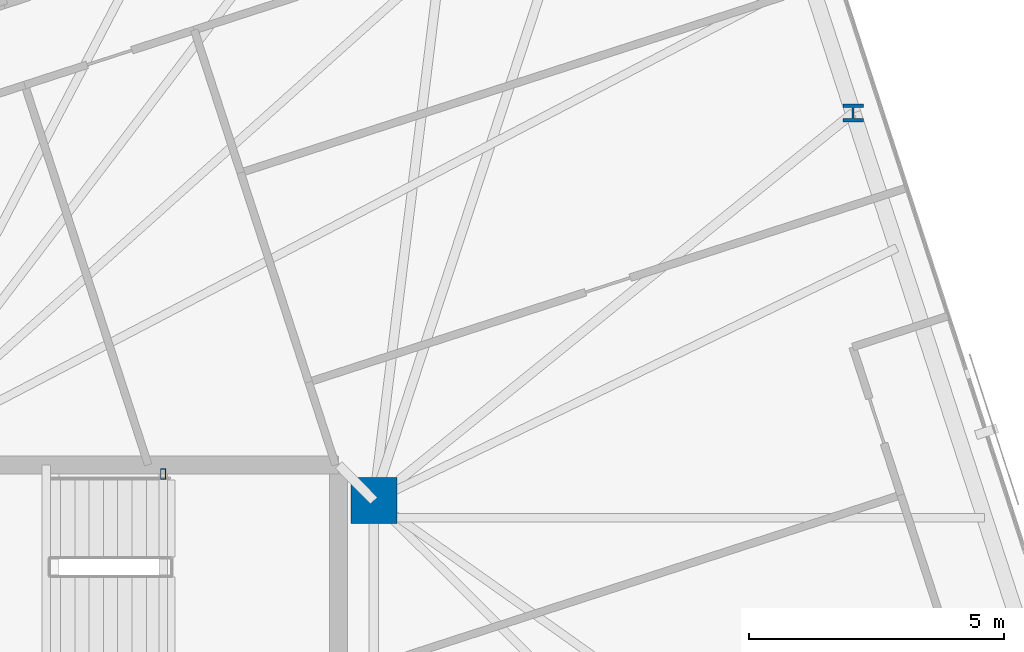
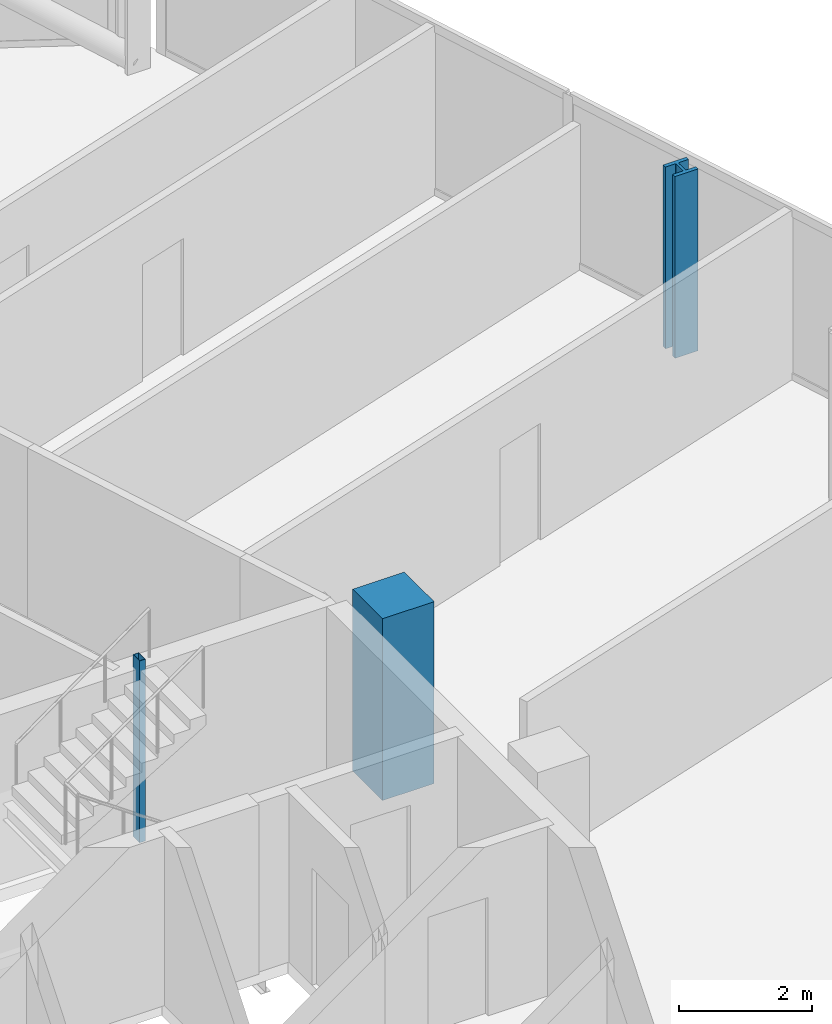
# One storey, part 3 of 19: 3 columns.
"""IFC4 building model written with IfcOpenShell, lengths in metres."""

import ifcopenshell
import ifcopenshell.guid

model = None  # the IFC model being written
_history = None  # IfcOwnerHistory: only IFC2X3 demands one
_inside = {}  # id of a spatial element -> (the spatial element, [elements in it])
_under = {}  # id of a project, library or spatial element -> (it, [spatial elements below it])
_declared = {}  # id of a project -> (the project, [libraries it declares])
_typed = {}  # id of a type object -> (the type object, [elements of that type])
_made_of = {}  # id of a material, layer set ... -> (it, [elements and type objects made of it])


def new_model(schema):
    """Start an empty IFC model of exactly this schema.

    Asked for "IFC4X3", IfcOpenShell would pick the latest addendum, in which some entities
    have other attributes; the version numbers below select the first issue.
    IFC2X3 requires an IfcOwnerHistory on every rooted entity: one is made here for all.
    """
    global model, _history
    if schema == "IFC4X3":
        model = ifcopenshell.file(schema_version=(4, 3, 0, 0))
    else:
        model = ifcopenshell.file(schema=schema)
    _inside.clear()
    _under.clear()
    _declared.clear()
    _typed.clear()
    _made_of.clear()
    _history = None
    if model.schema == "IFC2X3":
        org = make("IfcOrganization", Name="unknown")
        user = make(
            "IfcPersonAndOrganization",
            ThePerson=make("IfcPerson", FamilyName="unknown"),
            TheOrganization=org,
        )
        app = make(
            "IfcApplication",
            ApplicationDeveloper=org,
            Version="unknown",
            ApplicationFullName="unknown",
            ApplicationIdentifier="unknown",
        )
        _history = make(
            "IfcOwnerHistory",
            OwningUser=user,
            OwningApplication=app,
            ChangeAction="ADDED",
            CreationDate=0,
        )
    return model


def make(cls, **values):
    """One entity of the class cls with the attributes given. An attribute that is None is left unset."""
    return model.create_entity(
        cls, **{name: value for name, value in values.items() if value is not None}
    )


def rooted(cls, **values):
    """An entity with a GlobalId (a new one), such as an element, a storey or a relation."""
    return make(cls, GlobalId=ifcopenshell.guid.new(), OwnerHistory=_history, **values)


def si_unit(unit_type, name, prefix=None):
    """IfcSIUnit, for example si_unit("LENGTHUNIT", "METRE", prefix="MILLI")."""
    return make("IfcSIUnit", UnitType=unit_type, Prefix=prefix, Name=name)


def assignment(units):
    """IfcUnitAssignment: the units of a project."""
    return None if units is None else make("IfcUnitAssignment", Units=units)


def point(xyz):
    """IfcCartesianPoint."""
    return None if xyz is None else make("IfcCartesianPoint", Coordinates=xyz)


def direction(xyz):
    """IfcDirection."""
    return None if xyz is None else make("IfcDirection", DirectionRatios=xyz)


def frame(location, z_axis=None, x_axis=None):
    """IfcAxis2Placement3D, a coordinate frame: its origin and axes. An axis left out is left unset."""
    return make(
        "IfcAxis2Placement3D",
        Location=point(location),
        Axis=direction(z_axis),
        RefDirection=direction(x_axis),
    )


def frame_2d(location, x_axis=None):
    """IfcAxis2Placement2D, a coordinate frame in the plane: its origin and x axis."""
    return make(
        "IfcAxis2Placement2D", Location=point(location), RefDirection=direction(x_axis)
    )


def origin():
    """The frame at (0, 0, 0) with its axes left unset."""
    return frame((0.0, 0.0, 0.0))


def origin_2d():
    """The frame at (0, 0) in the plane with its x axis left unset."""
    return frame_2d((0.0, 0.0))


def place(relative_to, where):
    """IfcLocalPlacement: puts the frame where relative to a parent placement (None: the world)."""
    return make(
        "IfcLocalPlacement", PlacementRelTo=relative_to, RelativePlacement=where
    )


def context(
    kind, dimensions, precision=None, world=None, true_north=None, identifier=None
):
    """IfcGeometricRepresentationContext, for example the 3D "Model" context."""
    return make(
        "IfcGeometricRepresentationContext",
        ContextIdentifier=identifier,
        ContextType=kind,
        CoordinateSpaceDimension=dimensions,
        Precision=precision,
        WorldCoordinateSystem=world,
        TrueNorth=true_north,
    )


def subcontext(parent, identifier, kind, view, scale=None):
    """IfcGeometricRepresentationSubContext, for example "Body" below "Model"."""
    return make(
        "IfcGeometricRepresentationSubContext",
        ContextIdentifier=identifier,
        ContextType=kind,
        ParentContext=parent,
        TargetScale=scale,
        TargetView=view,
    )


def project(units=None, contexts=None):
    """IfcProject with its units and contexts."""
    return rooted(
        "IfcProject",
        Name="project",
        RepresentationContexts=contexts,
        UnitsInContext=assignment(units),
    )


def spatial(cls, under=None, at=None, **own):
    """A site, building, storey or space (cls), placed at a placement, below another one or the project."""
    s = rooted(cls, ObjectPlacement=at, **own)
    if under is not None:
        _under.setdefault(under.id(), (under, []))[1].append(s)
    return s


def profile(cls, at=None, kind="AREA", **sizes):
    """A parametric profile (cls). Its sizes go by their IFC names, for example OverallWidth=200.0."""
    return make(cls, ProfileType=kind, Position=at, **sizes)


def rectangle(**sizes):
    """IfcRectangleProfileDef."""
    return profile("IfcRectangleProfileDef", **sizes)


def hollow_rectangle(**sizes):
    """IfcRectangleHollowProfileDef."""
    return profile("IfcRectangleHollowProfileDef", **sizes)


def i_section(**sizes):
    """IfcIShapeProfileDef."""
    return profile("IfcIShapeProfileDef", **sizes)


def extrude(swept, where, along, depth):
    """IfcExtrudedAreaSolid: the profile swept, set in the frame where, extruded along a direction by depth."""
    return make(
        "IfcExtrudedAreaSolid",
        SweptArea=swept,
        Position=where,
        ExtrudedDirection=direction(along),
        Depth=depth,
    )


def shape(context_of_items, identifier, shape_type, items):
    """IfcShapeRepresentation: the items that make up one representation, for example the "Body"."""
    return make(
        "IfcShapeRepresentation",
        ContextOfItems=context_of_items,
        RepresentationIdentifier=identifier,
        RepresentationType=shape_type,
        Items=items,
    )


def material(Name=None, Category=None):
    """IfcMaterial."""
    return make("IfcMaterial", Name=Name, Category=Category)


def material_profile(
    of_material, cross_section, Name=None, Category=None, Priority=None
):
    """IfcMaterialProfile: a cross section and its material."""
    return make(
        "IfcMaterialProfile",
        Name=Name,
        Material=of_material,
        Profile=cross_section,
        Priority=Priority,
        Category=Category,
    )


def profile_set(profiles, Name=None, composite=None):
    """IfcMaterialProfileSet."""
    return make(
        "IfcMaterialProfileSet",
        Name=Name,
        MaterialProfiles=profiles,
        CompositeProfile=composite,
    )


def made_of(thing, what):
    """Note that an element or type object is made of a material, layer set ...; save() writes the relation."""
    if what is not None:
        _made_of.setdefault(what.id(), (what, []))[1].append(thing)
    return thing


def type_object(cls, material=None, **own):
    """A type object (cls), such as IfcWallType, which elements share."""
    return made_of(rooted(cls, **own), material)


def element(
    cls,
    number,
    at=None,
    inside=None,
    cuts=None,
    type_object=None,
    material=None,
    context=None,
    identifier="Body",
    shape_type=None,
    held_by="IfcProductDefinitionShape",
    body=None,
    shapes=None,
    **own,
):
    """One element of the class cls, such as IfcWall. Its Tag is "e" and its number.

    at: its placement. inside: the storey or other place that contains it. cuts: it is an
    opening in that element (IfcRelVoidsElement). A single representation is given by context,
    identifier, shape_type and body (its items); several are given by shapes. held_by: the class
    of the entity that holds the representations. save() writes the other relations.
    """
    e = rooted(cls, Tag="e%d" % number, ObjectPlacement=at, **own)
    if body is not None:
        shapes = [shape(context, identifier, shape_type, body)]
    if shapes is not None:
        e.Representation = make(held_by, Representations=shapes)
    if inside is not None:
        _inside.setdefault(inside.id(), (inside, []))[1].append(e)
    if cuts is not None:
        rooted(
            "IfcRelVoidsElement", RelatingBuildingElement=cuts, RelatedOpeningElement=e
        )
    if type_object is not None:
        _typed.setdefault(type_object.id(), (type_object, []))[1].append(e)
    return made_of(e, material)


def aggregate(whole, parts):
    """IfcRelAggregates: a whole, such as a stair, and the parts it consists of."""
    return rooted("IfcRelAggregates", RelatingObject=whole, RelatedObjects=parts)


def save(model, path):
    """Write the relations noted so far, then the file.

    IfcRelAggregates (storeys below a building ...), IfcRelContainedInSpatialStructure (elements
    in a storey), IfcRelDefinesByType, IfcRelAssociatesMaterial and IfcRelDeclares: one each for
    every whole, place, type object, material and project.
    """
    for whole, parts in _under.values():
        aggregate(whole, parts)
    for where, things in _inside.values():
        rooted(
            "IfcRelContainedInSpatialStructure",
            RelatedElements=things,
            RelatingStructure=where,
        )
    for kind, things in _typed.values():
        rooted("IfcRelDefinesByType", RelatedObjects=things, RelatingType=kind)
    for what, things in _made_of.values():
        rooted("IfcRelAssociatesMaterial", RelatedObjects=things, RelatingMaterial=what)
    for by, libraries in _declared.values():
        rooted("IfcRelDeclares", RelatingContext=by, RelatedDefinitions=libraries)
    model.write(path)


model = new_model("IFC4")

# Units and contexts
model_context = context("Model", 3, precision=1e-05, world=origin(), true_north=direction((0.0, 1.0)))
body_context = subcontext(model_context, "Body", "Model", "MODEL_VIEW")
ifc_project = project(units=[si_unit("LENGTHUNIT", "METRE"), si_unit("AREAUNIT", "SQUARE_METRE"), si_unit("VOLUMEUNIT", "CUBIC_METRE"), si_unit("PLANEANGLEUNIT", "RADIAN"), si_unit("MASSUNIT", "GRAM", prefix="KILO")], contexts=[model_context])

# Site, building, storey
site_placement = place(None, origin())
site = spatial("IfcSite", under=ifc_project, at=site_placement, CompositionType="ELEMENT")
building_placement = place(site_placement, origin())
building = spatial("IfcBuilding", under=site, at=building_placement, Name="Menara Jurai Vektor", CompositionType="ELEMENT")
storey_placement = place(building_placement, frame((0.0, 0.0, 214.25)))
storey = spatial("IfcBuildingStorey", under=building, at=storey_placement, Name="L56", CompositionType="ELEMENT", Elevation=214.25)

# Columns
ifc_material_1 = material(Name="Concrete C50/60", Category="concrete")
ifc_material_profile_1 = material_profile(ifc_material_1, rectangle(XDim=0.89990234375, YDim=0.89990234375, at=origin_2d()), Name="RC 900x900")
ifc_profile_set_1 = profile_set([ifc_material_profile_1], Name="Concrete C50/60")
column_type_1 = type_object("IfcColumnType", Name="STR-COL-RC900", PredefinedType="COLUMN", material=ifc_profile_set_1)
column_1_placement = place(storey_placement, frame((15.25, 4.89990234375, 0.0), z_axis=(0.0, 0.0, 1.0), x_axis=(1.0, 0.0, 0.0)))
element("IfcColumn", 1, at=column_1_placement, inside=storey, type_object=column_type_1, Name="Core Spine Column CE-NE L56", PredefinedType="COLUMN", context=body_context, shape_type="SweptSolid", body=[
    extrude(rectangle(XDim=0.89990234375, YDim=0.89990234375, at=origin_2d()), origin(), (0.0, 0.0, 1.0), 3.35009765625),
])
ifc_material_2 = material(Name="Steel S355", Category="steel")
ifc_material_profile_2 = material_profile(ifc_material_2, hollow_rectangle(XDim=0.10009765625, YDim=0.199951171875, WallThickness=0.008056640625, at=origin_2d()), Name="RHS 200x100x8")
ifc_profile_set_2 = profile_set([ifc_material_profile_2], Name="Steel S355")
column_type_2 = type_object("IfcColumnType", Name="STR-COL-STAIR", PredefinedType="COLUMN", material=ifc_profile_set_2)
column_2_placement = place(storey_placement, frame((11.1201171875, 5.419921875, 0.0), z_axis=(0.0, 0.0, 1.0), x_axis=(1.0, 0.0, 0.0)))
element("IfcColumn", 2, at=column_2_placement, inside=storey, type_object=column_type_2, Name="Stair Well Header Column ST2-P2 L56", PredefinedType="COLUMN", context=body_context, shape_type="SweptSolid", body=[
    extrude(hollow_rectangle(XDim=0.10009765625, YDim=0.199951171875, WallThickness=0.008056640625, at=origin_2d()), origin(), (0.0, 0.0, 1.0), 3.35009765625),
])
ifc_material_3 = material(Name="Steel S460", Category="steel")
ifc_material_profile_3 = material_profile(ifc_material_3, i_section(OverallWidth=0.405029296875, OverallDepth=0.35498046875, WebThickness=0.0419921875, FlangeThickness=0.068115234375, FilletRadius=0.014892578125, at=origin_2d()), Name="HD 400x551")
ifc_profile_set_3 = profile_set([ifc_material_profile_3], Name="Steel S460")
column_type_3 = type_object("IfcColumnType", Name="STR-EXO-BLK4", PredefinedType="COLUMN", material=ifc_profile_set_3)
column_3_placement = place(storey_placement, frame((24.641845703125, 12.496826171875, 0.0), z_axis=(0.0, 0.0, 1.0), x_axis=(1.0, 0.0, 0.0)))
element("IfcColumn", 3, at=column_3_placement, inside=storey, type_object=column_type_3, Name="Exoskeleton Column BLK4-E3 L56", PredefinedType="COLUMN", context=body_context, shape_type="SweptSolid", body=[
    extrude(i_section(OverallWidth=0.405029296875, OverallDepth=0.35498046875, WebThickness=0.0419921875, FlangeThickness=0.068115234375, FilletRadius=0.014892578125, at=origin_2d()), origin(), (0.0, 0.0, 1.0), 3.35009765625),
])

save(model, "model.ifc")
